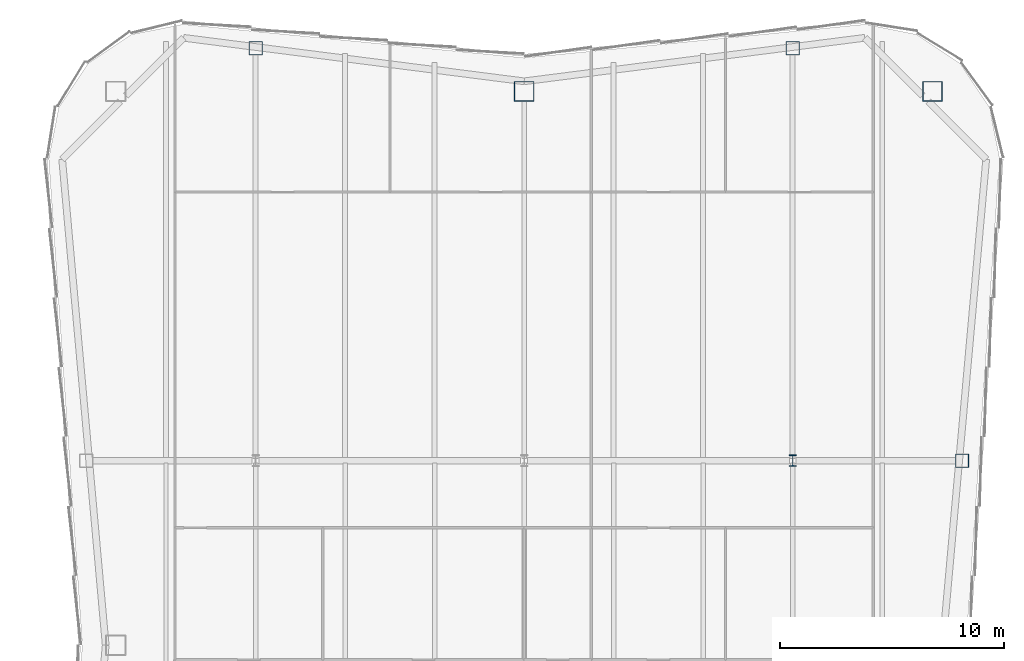
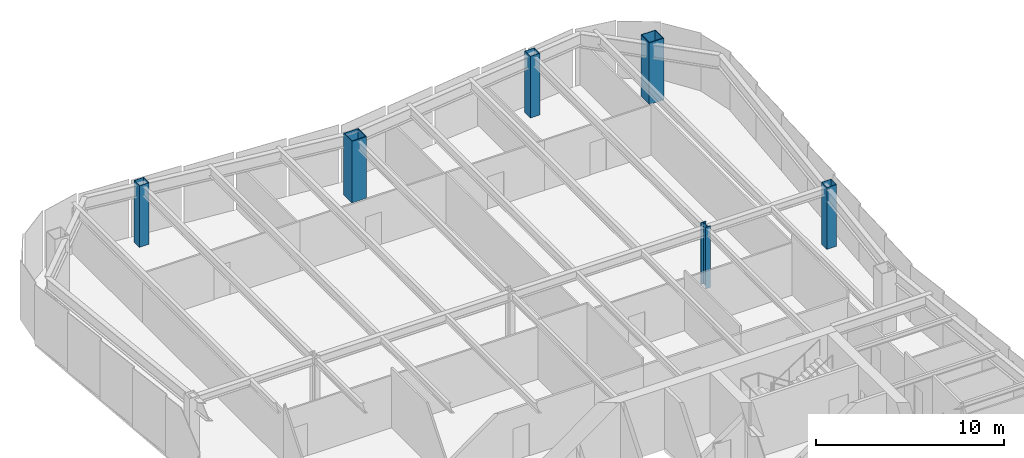
# One storey, part 2 of 10: 6 columns.
"""IFC4 building model written with IfcOpenShell, lengths in metres."""

from ifc_helpers import new_model, si_unit, direction, frame, origin, origin_2d, place, context, subcontext, project, spatial, hollow_rectangle, i_section, extrude, material, material_profile, profile_set, type_object, element, save


model = new_model("IFC4")

# Units and contexts
model_context = context("Model", 3, precision=1e-05, world=origin(), true_north=direction((0.0, 1.0)))
body_context = subcontext(model_context, "Body", "Model", "MODEL_VIEW")
ifc_project = project(units=[si_unit("LENGTHUNIT", "METRE"), si_unit("AREAUNIT", "SQUARE_METRE"), si_unit("VOLUMEUNIT", "CUBIC_METRE"), si_unit("PLANEANGLEUNIT", "RADIAN"), si_unit("MASSUNIT", "GRAM", prefix="KILO")], contexts=[model_context])

# Site, building, storey
site_placement = place(None, origin())
site = spatial("IfcSite", under=ifc_project, at=site_placement, CompositionType="ELEMENT")
building_placement = place(site_placement, origin())
building = spatial("IfcBuilding", under=site, at=building_placement, Name="Verdant Reach Tower", CompositionType="ELEMENT")
storey_placement = place(building_placement, frame((0.0, 0.0, 326.0)))
storey = spatial("IfcBuildingStorey", under=building, at=storey_placement, Name="L75", CompositionType="ELEMENT", Elevation=326.0)

# Columns
ifc_material = material(Name="Steel S460", Category="steel")
ifc_material_profile_1 = material_profile(ifc_material, i_section(OverallWidth=0.305908203125, OverallDepth=0.52392578125, WebThickness=0.012451171875, FlangeThickness=0.0400390625, FilletRadius=0.027099609375, at=origin_2d()), Name="HEM 500")
ifc_profile_set_1 = profile_set([ifc_material_profile_1], Name="Steel S460")
column_type_1 = type_object("IfcColumnType", Name="ST-COL-HEM500", PredefinedType="COLUMN", material=ifc_profile_set_1)
column_placement = place(storey_placement, frame((12.0, 49.5, 0.0), z_axis=(0.0, 0.0, 1.0), x_axis=(1.0, 0.0, 0.0)))
element("IfcColumn", 1, at=column_placement, inside=storey, type_object=column_type_1, Name="Interior column 3, L75", PredefinedType="COLUMN", context=body_context, shape_type="SweptSolid", body=[
    extrude(i_section(OverallWidth=0.305908203125, OverallDepth=0.52392578125, WebThickness=0.012451171875, FlangeThickness=0.0400390625, FilletRadius=0.027099609375, at=origin_2d()), origin(), (0.0, 0.0, 1.0), 4.0),
])
ifc_material_profile_2 = material_profile(ifc_material, hollow_rectangle(XDim=0.60009765625, YDim=0.60009765625, WallThickness=0.02490234375, at=origin_2d()), Name="WB 600x600x25")
ifc_profile_set_2 = profile_set([ifc_material_profile_2], Name="Steel S460")
column_type_2 = type_object("IfcColumnType", Name="ST-COL-WB600x600x25", PredefinedType="COLUMN", material=ifc_profile_set_2)
for number, where, z_axis, x_axis, name in (
    (2, (-12.0, 67.930419921875, 0.0), (0.0, 0.0, 1.0), (1.0, 0.0, 0.0), "Perimeter column north 1, L75"),
    (3, (12.0, 67.930419921875, 0.0), (0.0, 0.0, 1.0), (1.0, 0.0, 0.0), "Perimeter column north 2, L75"),
    (4, (19.569091796875, 49.5, 0.0), (0.0, 0.0, 1.0), (1.0, 0.0, 0.0), "Perimeter column east 2, L75"),
):
    element("IfcColumn", number, at=place(storey_placement, frame(where, z_axis=z_axis, x_axis=x_axis)), inside=storey, type_object=column_type_2, Name=name, PredefinedType="COLUMN", context=body_context, shape_type="SweptSolid", body=[
        extrude(hollow_rectangle(XDim=0.60009765625, YDim=0.60009765625, WallThickness=0.02490234375, at=origin_2d()), origin(), (0.0, 0.0, 1.0), 4.0),
    ])
ifc_material_profile_3 = material_profile(ifc_material, hollow_rectangle(XDim=0.89990234375, YDim=0.89990234375, WallThickness=0.0400390625, at=origin_2d()), Name="WB 900x900x40")
ifc_profile_set_3 = profile_set([ifc_material_profile_3], Name="Steel S460")
column_type_3 = type_object("IfcColumnType", Name="ST-COL-WB900x900x40", PredefinedType="COLUMN", material=ifc_profile_set_3)
for number, where, z_axis, x_axis, name in (
    (5, (0.0, 66.0, 0.0), (0.0, 0.0, 1.0), (1.0, 0.0, 0.0), "Mega column north, L75"),
    (6, (18.25, 66.0, 0.0), (0.0, 0.0, 1.0), (1.0, 0.0, 0.0), "Mega column north-east, L75"),
):
    element("IfcColumn", number, at=place(storey_placement, frame(where, z_axis=z_axis, x_axis=x_axis)), inside=storey, type_object=column_type_3, Name=name, PredefinedType="COLUMN", context=body_context, shape_type="SweptSolid", body=[
        extrude(hollow_rectangle(XDim=0.89990234375, YDim=0.89990234375, WallThickness=0.0400390625, at=origin_2d()), origin(), (0.0, 0.0, 1.0), 4.0),
    ])

save(model, "model.ifc")
